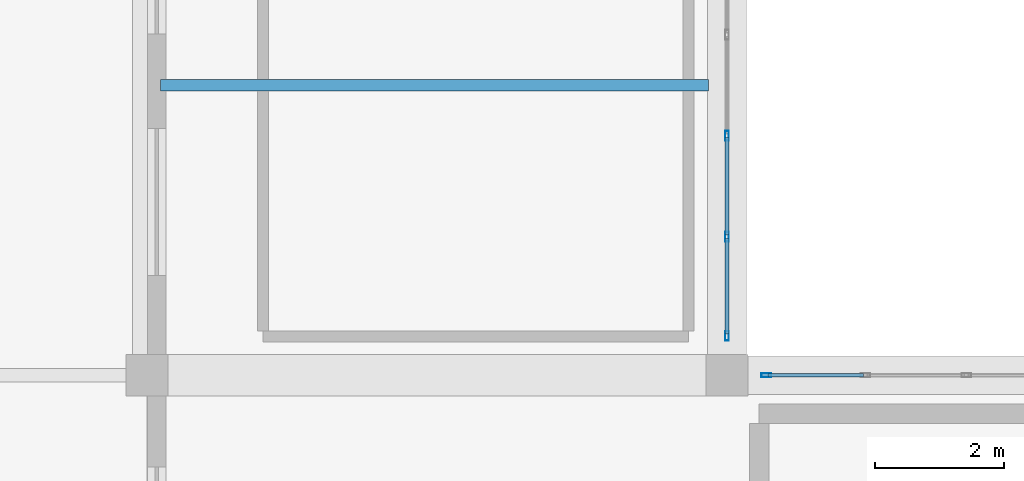
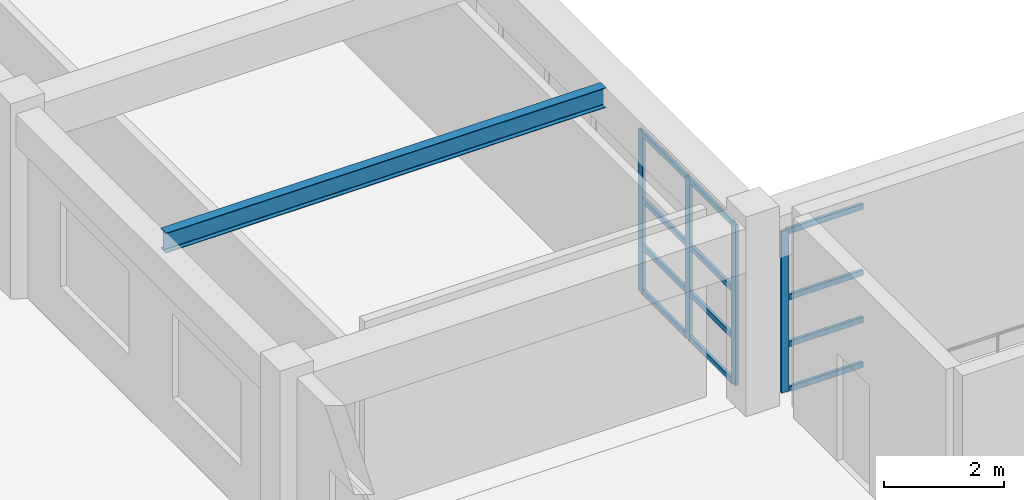
# One storey, part 17 of 130: 16 members, 1 beam, 2 elements without a shape of their own.
"""IFC4 building model written with IfcOpenShell, lengths in metres."""

from ifc_helpers import new_model, si_unit, direction, frame, origin, origin_2d, place, context, subcontext, project, spatial, hollow_rectangle, i_section, extrude, material, material_profile, profile_set, type_object, element, aggregate, save


model = new_model("IFC4")

# Units and contexts
model_context = context("Model", 3, precision=1e-05, world=origin(), true_north=direction((0.0, 1.0)))
body_context = subcontext(model_context, "Body", "Model", "MODEL_VIEW")
ifc_project = project(units=[si_unit("LENGTHUNIT", "METRE"), si_unit("AREAUNIT", "SQUARE_METRE"), si_unit("VOLUMEUNIT", "CUBIC_METRE"), si_unit("PLANEANGLEUNIT", "RADIAN"), si_unit("MASSUNIT", "GRAM", prefix="KILO")], contexts=[model_context])

# Site, building, storey
site_placement = place(None, origin())
site = spatial("IfcSite", under=ifc_project, at=site_placement, CompositionType="ELEMENT")
building_placement = place(site_placement, origin())
building = spatial("IfcBuilding", under=site, at=building_placement, Name="Miravela Opera House", CompositionType="ELEMENT")
storey_placement = place(building_placement, frame((0.0, 0.0, 9.52001953125)))
storey = spatial("IfcBuildingStorey", under=building, at=storey_placement, Name="L02", CompositionType="ELEMENT", Elevation=9.52001953125)

# Curtain wall, member
ifc_material_1 = material(Name="Anodised architectural bronze aluminium 6063-T6", Category="aluminium")
curtain_wall_type = type_object("IfcCurtainWallType", Name="ARC-CW-06", PredefinedType="NOTDEFINED", material=ifc_material_1)
curtain_wall_1_placement = place(storey_placement, origin())
curtain_wall_1 = element("IfcCurtainWall", 1, at=curtain_wall_1_placement, inside=storey, type_object=curtain_wall_type, Name="Courtyard Arcade Curtain Wall CW-L02-137", PredefinedType="NOTDEFINED")
ifc_material_profile_1 = material_profile(ifc_material_1, hollow_rectangle(XDim=0.06005859375, YDim=0.14990234375, WallThickness=0.00390625, InnerFilletRadius=0.001953125, OuterFilletRadius=0.00390625, at=origin_2d()), Name="CWM-60X150")
ifc_profile_set_1 = profile_set([ifc_material_profile_1])
member_type_1 = type_object("IfcMemberType", Name="ARC-CWM-150", PredefinedType="MULLION", material=ifc_profile_set_1)
member_1_placement = place(storey_placement, frame((27.610107421875, 9.0, 0.0), z_axis=(0.0, 0.0, 1.0), x_axis=(0.0, 1.0, 0.0)))
member_1 = element("IfcMember", 2, at=member_1_placement, type_object=member_type_1, Name="CW-06 mullion 1", PredefinedType="MULLION", context=body_context, shape_type="SweptSolid", body=[
    extrude(hollow_rectangle(XDim=0.06005859375, YDim=0.14990234375, WallThickness=0.00390625, InnerFilletRadius=0.001953125, OuterFilletRadius=0.00390625, at=origin_2d()), origin(), (0.0, 0.0, 1.0), 3.2900390625),
])

# Curtain wall, members
curtain_wall_2_placement = place(storey_placement, origin())
curtain_wall_2 = element("IfcCurtainWall", 3, at=curtain_wall_2_placement, inside=storey, type_object=curtain_wall_type, Name="Courtyard Arcade Curtain Wall CW-L02-144", PredefinedType="NOTDEFINED")
member_2_placement = place(storey_placement, frame((27.0, 9.610107421875, 0.0), z_axis=(0.0, 0.0, 1.0), x_axis=(-1.0, 0.0, 0.0)))
member_2 = element("IfcMember", 4, at=member_2_placement, type_object=member_type_1, Name="CW-06 mullion 1", PredefinedType="MULLION", context=body_context, shape_type="SweptSolid", body=[
    extrude(hollow_rectangle(XDim=0.06005859375, YDim=0.14990234375, WallThickness=0.00390625, InnerFilletRadius=0.001953125, OuterFilletRadius=0.00390625, at=origin_2d()), origin(), (0.0, 0.0, 1.0), 3.2900390625),
])
member_3_placement = place(storey_placement, frame((27.0, 11.14794921875, 0.0), z_axis=(0.0, 0.0, 1.0), x_axis=(-1.0, 0.0, 0.0)))
member_3 = element("IfcMember", 5, at=member_3_placement, type_object=member_type_1, Name="CW-06 mullion 2", PredefinedType="MULLION", context=body_context, shape_type="SweptSolid", body=[
    extrude(hollow_rectangle(XDim=0.06005859375, YDim=0.14990234375, WallThickness=0.00390625, InnerFilletRadius=0.001953125, OuterFilletRadius=0.00390625, at=origin_2d()), origin(), (0.0, 0.0, 1.0), 3.2900390625),
])
member_4_placement = place(storey_placement, frame((27.0, 12.716064453125, 0.0), z_axis=(0.0, 0.0, 1.0), x_axis=(-1.0, 0.0, 0.0)))
member_4 = element("IfcMember", 6, at=member_4_placement, type_object=member_type_1, Name="CW-06 mullion 3", PredefinedType="MULLION", context=body_context, shape_type="SweptSolid", body=[
    extrude(hollow_rectangle(XDim=0.06005859375, YDim=0.14990234375, WallThickness=0.00390625, InnerFilletRadius=0.001953125, OuterFilletRadius=0.00390625, at=origin_2d()), origin(), (0.0, 0.0, 1.0), 3.2900390625),
])

# Member
ifc_material_profile_2 = material_profile(ifc_material_1, hollow_rectangle(XDim=0.06005859375, YDim=0.114990234375, WallThickness=0.00390625, InnerFilletRadius=0.001953125, OuterFilletRadius=0.00390625, at=origin_2d()), Name="CWT-60X115")
ifc_profile_set_2 = profile_set([ifc_material_profile_2])
member_type_2 = type_object("IfcMemberType", Name="ARC-CWT-115", PredefinedType="USERDEFINED", material=ifc_profile_set_2)
member_5_placement = place(storey_placement, frame((27.639892578125, 9.0, 0.030029296875), z_axis=(1.0, 0.0, 0.0), x_axis=(0.0, 1.0, 0.0)))
member_5 = element("IfcMember", 7, at=member_5_placement, type_object=member_type_2, Name="CW-06 transom 1.1", ObjectType="TRANSOM", PredefinedType="USERDEFINED", context=body_context, shape_type="SweptSolid", body=[
    extrude(hollow_rectangle(XDim=0.06005859375, YDim=0.114990234375, WallThickness=0.00390625, InnerFilletRadius=0.001953125, OuterFilletRadius=0.00390625, at=origin_2d()), origin(), (0.0, 0.0, 1.0), 1.47802734375),
])

member_6_placement = place(storey_placement, frame((27.639892578125, 9.0, 0.949951171875), z_axis=(1.0, 0.0, 0.0), x_axis=(0.0, 1.0, 0.0)))
member_6 = element("IfcMember", 8, at=member_6_placement, type_object=member_type_2, Name="CW-06 transom 1.2", ObjectType="TRANSOM", PredefinedType="USERDEFINED", context=body_context, shape_type="SweptSolid", body=[
    extrude(hollow_rectangle(XDim=0.06005859375, YDim=0.114990234375, WallThickness=0.00390625, InnerFilletRadius=0.001953125, OuterFilletRadius=0.00390625, at=origin_2d()), origin(), (0.0, 0.0, 1.0), 1.47802734375),
])

member_7_placement = place(storey_placement, frame((27.639892578125, 9.0, 1.908203125), z_axis=(1.0, 0.0, 0.0), x_axis=(0.0, 1.0, 0.0)))
member_7 = element("IfcMember", 9, at=member_7_placement, type_object=member_type_2, Name="CW-06 transom 1.3", ObjectType="TRANSOM", PredefinedType="USERDEFINED", context=body_context, shape_type="SweptSolid", body=[
    extrude(hollow_rectangle(XDim=0.06005859375, YDim=0.114990234375, WallThickness=0.00390625, InnerFilletRadius=0.001953125, OuterFilletRadius=0.00390625, at=origin_2d()), origin(), (0.0, 0.0, 1.0), 1.47802734375),
])

member_8_placement = place(storey_placement, frame((27.639892578125, 9.0, 3.260009765625), z_axis=(1.0, 0.0, 0.0), x_axis=(0.0, 1.0, 0.0)))
member_8 = element("IfcMember", 10, at=member_8_placement, type_object=member_type_2, Name="CW-06 transom 1.4", ObjectType="TRANSOM", PredefinedType="USERDEFINED", context=body_context, shape_type="SweptSolid", body=[
    extrude(hollow_rectangle(XDim=0.06005859375, YDim=0.114990234375, WallThickness=0.00390625, InnerFilletRadius=0.001953125, OuterFilletRadius=0.00390625, at=origin_2d()), origin(), (0.0, 0.0, 1.0), 1.47802734375),
])

aggregate(curtain_wall_1, [member_1, member_5, member_6, member_7, member_8])

member_9_placement = place(storey_placement, frame((27.0, 9.639892578125, 0.030029296875), z_axis=(0.0, 1.0, 0.0), x_axis=(-1.0, 0.0, 0.0)))
member_9 = element("IfcMember", 11, at=member_9_placement, type_object=member_type_2, Name="CW-06 transom 1.1", ObjectType="TRANSOM", PredefinedType="USERDEFINED", context=body_context, shape_type="SweptSolid", body=[
    extrude(hollow_rectangle(XDim=0.06005859375, YDim=0.114990234375, WallThickness=0.00390625, InnerFilletRadius=0.001953125, OuterFilletRadius=0.00390625, at=origin_2d()), origin(), (0.0, 0.0, 1.0), 1.47802734375),
])

member_10_placement = place(storey_placement, frame((27.0, 9.639892578125, 0.949951171875), z_axis=(0.0, 1.0, 0.0), x_axis=(-1.0, 0.0, 0.0)))
member_10 = element("IfcMember", 12, at=member_10_placement, type_object=member_type_2, Name="CW-06 transom 1.2", ObjectType="TRANSOM", PredefinedType="USERDEFINED", context=body_context, shape_type="SweptSolid", body=[
    extrude(hollow_rectangle(XDim=0.06005859375, YDim=0.114990234375, WallThickness=0.00390625, InnerFilletRadius=0.001953125, OuterFilletRadius=0.00390625, at=origin_2d()), origin(), (0.0, 0.0, 1.0), 1.47802734375),
])

member_11_placement = place(storey_placement, frame((27.0, 9.639892578125, 1.908203125), z_axis=(0.0, 1.0, 0.0), x_axis=(-1.0, 0.0, 0.0)))
member_11 = element("IfcMember", 13, at=member_11_placement, type_object=member_type_2, Name="CW-06 transom 1.3", ObjectType="TRANSOM", PredefinedType="USERDEFINED", context=body_context, shape_type="SweptSolid", body=[
    extrude(hollow_rectangle(XDim=0.06005859375, YDim=0.114990234375, WallThickness=0.00390625, InnerFilletRadius=0.001953125, OuterFilletRadius=0.00390625, at=origin_2d()), origin(), (0.0, 0.0, 1.0), 1.47802734375),
])

member_12_placement = place(storey_placement, frame((27.0, 9.639892578125, 3.260009765625), z_axis=(0.0, 1.0, 0.0), x_axis=(-1.0, 0.0, 0.0)))
member_12 = element("IfcMember", 14, at=member_12_placement, type_object=member_type_2, Name="CW-06 transom 1.4", ObjectType="TRANSOM", PredefinedType="USERDEFINED", context=body_context, shape_type="SweptSolid", body=[
    extrude(hollow_rectangle(XDim=0.06005859375, YDim=0.114990234375, WallThickness=0.00390625, InnerFilletRadius=0.001953125, OuterFilletRadius=0.00390625, at=origin_2d()), origin(), (0.0, 0.0, 1.0), 1.47802734375),
])

member_13_placement = place(storey_placement, frame((27.0, 11.177978515625, 0.030029296875), z_axis=(0.0, 1.0, 0.0), x_axis=(-1.0, 0.0, 0.0)))
member_13 = element("IfcMember", 15, at=member_13_placement, type_object=member_type_2, Name="CW-06 transom 2.1", ObjectType="TRANSOM", PredefinedType="USERDEFINED", context=body_context, shape_type="SweptSolid", body=[
    extrude(hollow_rectangle(XDim=0.06005859375, YDim=0.114990234375, WallThickness=0.00390625, InnerFilletRadius=0.001953125, OuterFilletRadius=0.00390625, at=origin_2d()), origin(), (0.0, 0.0, 1.0), 1.508056640625),
])

member_14_placement = place(storey_placement, frame((27.0, 11.177978515625, 0.949951171875), z_axis=(0.0, 1.0, 0.0), x_axis=(-1.0, 0.0, 0.0)))
member_14 = element("IfcMember", 16, at=member_14_placement, type_object=member_type_2, Name="CW-06 transom 2.2", ObjectType="TRANSOM", PredefinedType="USERDEFINED", context=body_context, shape_type="SweptSolid", body=[
    extrude(hollow_rectangle(XDim=0.06005859375, YDim=0.114990234375, WallThickness=0.00390625, InnerFilletRadius=0.001953125, OuterFilletRadius=0.00390625, at=origin_2d()), origin(), (0.0, 0.0, 1.0), 1.508056640625),
])

member_15_placement = place(storey_placement, frame((27.0, 11.177978515625, 1.908203125), z_axis=(0.0, 1.0, 0.0), x_axis=(-1.0, 0.0, 0.0)))
member_15 = element("IfcMember", 17, at=member_15_placement, type_object=member_type_2, Name="CW-06 transom 2.3", ObjectType="TRANSOM", PredefinedType="USERDEFINED", context=body_context, shape_type="SweptSolid", body=[
    extrude(hollow_rectangle(XDim=0.06005859375, YDim=0.114990234375, WallThickness=0.00390625, InnerFilletRadius=0.001953125, OuterFilletRadius=0.00390625, at=origin_2d()), origin(), (0.0, 0.0, 1.0), 1.508056640625),
])

member_16_placement = place(storey_placement, frame((27.0, 11.177978515625, 3.260009765625), z_axis=(0.0, 1.0, 0.0), x_axis=(-1.0, 0.0, 0.0)))
member_16 = element("IfcMember", 18, at=member_16_placement, type_object=member_type_2, Name="CW-06 transom 2.4", ObjectType="TRANSOM", PredefinedType="USERDEFINED", context=body_context, shape_type="SweptSolid", body=[
    extrude(hollow_rectangle(XDim=0.06005859375, YDim=0.114990234375, WallThickness=0.00390625, InnerFilletRadius=0.001953125, OuterFilletRadius=0.00390625, at=origin_2d()), origin(), (0.0, 0.0, 1.0), 1.508056640625),
])

aggregate(curtain_wall_2, [member_2, member_3, member_4, member_9, member_10, member_11, member_12, member_13, member_14, member_15, member_16])

# Beam
ifc_material_2 = material(Name="Structural steel ASTM A992 Gr. 50", Category="steel")
ifc_material_profile_3 = material_profile(ifc_material_2, i_section(OverallWidth=0.177978515625, OverallDepth=0.406982421875, WebThickness=0.0078125, FlangeThickness=0.0126953125, FilletRadius=0.012939453125, at=origin_2d()), Name="W410X60")
ifc_profile_set_3 = profile_set([ifc_material_profile_3])
beam_type = type_object("IfcBeamType", Name="STR-BM-W410X60", PredefinedType="JOIST", material=ifc_profile_set_3)
beam_placement = place(storey_placement, frame((18.2099609375, 13.5, 3.636474609375), z_axis=(1.0, 0.0, 0.0), x_axis=(0.0, 1.0, 0.0)))
element("IfcBeam", 19, at=beam_placement, inside=storey, type_object=beam_type, Name="Secondary Floor Joist L02 3-4/B-C", PredefinedType="JOIST", context=body_context, shape_type="SweptSolid", body=[
    extrude(i_section(OverallWidth=0.177978515625, OverallDepth=0.406982421875, WebThickness=0.0078125, FlangeThickness=0.0126953125, FilletRadius=0.012939453125, at=origin_2d()), origin(), (0.0, 0.0, 1.0), 8.505126953125),
])

save(model, "model.ifc")
